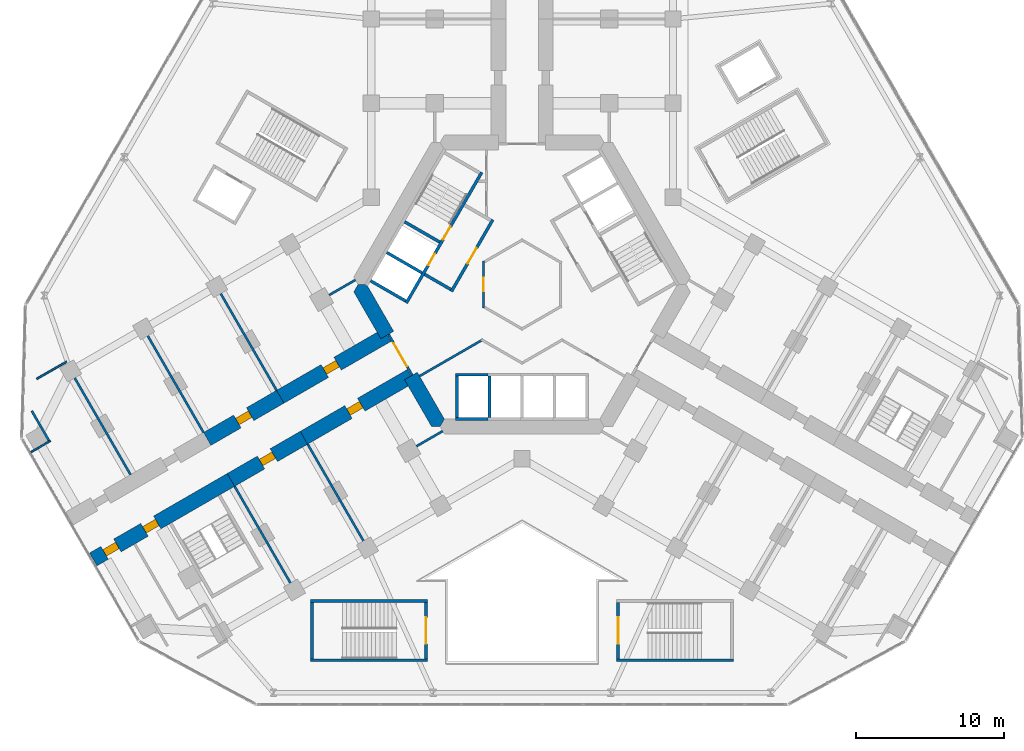
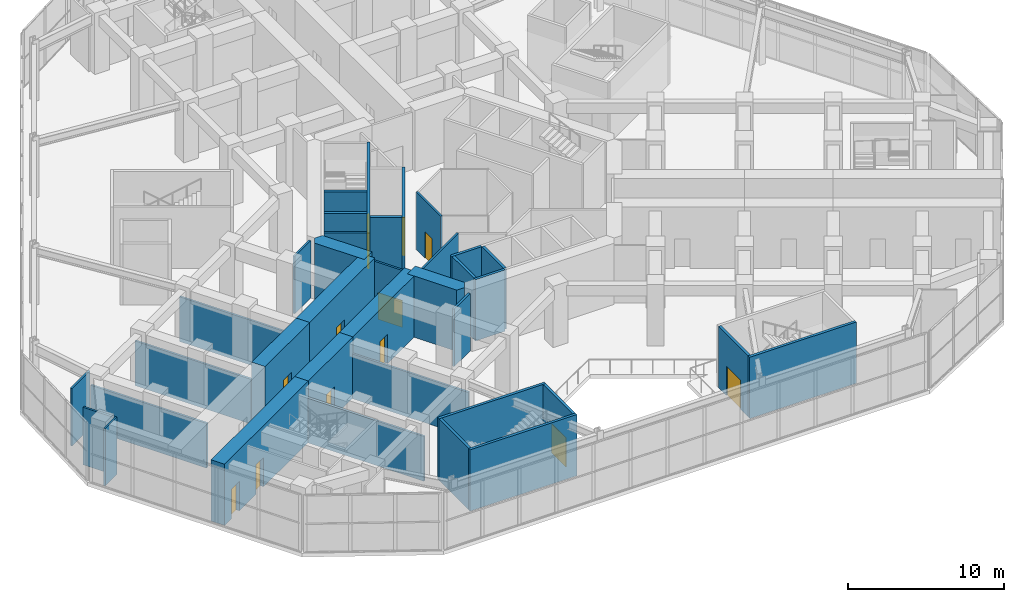
# One storey, part 15 of 22: 36 walls, 13 doors, 13 openings.
"""IFC4 building model written with IfcOpenShell, lengths in metres."""

from ifc_helpers import new_model, si_unit, direction, frame, frame_2d, origin, place, context, subcontext, project, spatial, polyline, rectangle, outline, extrude, material, layer, layer_set, type_object, element, fill, save


model = new_model("IFC4")

# Units and contexts
model_context = context("Model", 3, precision=1e-05, world=origin(), true_north=direction((0.0, 1.0)))
body_context = subcontext(model_context, "Body", "Model", "MODEL_VIEW")
ifc_project = project(units=[si_unit("LENGTHUNIT", "METRE"), si_unit("AREAUNIT", "SQUARE_METRE"), si_unit("VOLUMEUNIT", "CUBIC_METRE"), si_unit("PLANEANGLEUNIT", "RADIAN"), si_unit("MASSUNIT", "GRAM", prefix="KILO")], contexts=[model_context])

# Site, building, storey
site_placement = place(None, origin())
site = spatial("IfcSite", under=ifc_project, at=site_placement, CompositionType="ELEMENT")
building_placement = place(site_placement, origin())
building = spatial("IfcBuilding", under=site, at=building_placement, Name="Kosmar Iwan School Tower", CompositionType="ELEMENT")
storey_placement = place(building_placement, frame((0.0, 0.0, 10.800048828125)))
storey = spatial("IfcBuildingStorey", under=building, at=storey_placement, Name="L02", CompositionType="ELEMENT", Elevation=10.800048828125)

# Wall, opening, door
ifc_material_1 = material(Name="Gypsum board on steel studs, fire-rated", Category="steel")
ifc_layer_1 = layer(ifc_material_1, 0.14990234375)
ifc_layer_set_1 = layer_set([ifc_layer_1], Name="Core room partition 150")
wall_type_1 = type_object("IfcWallType", Name="Core room partition 150", PredefinedType="PARTITIONING", material=ifc_layer_set_1)
wall_1_placement = place(storey_placement, frame((-2.60009765625, -1.576171875, 0.0), z_axis=(0.0, 0.0, 1.0), x_axis=(0.0, 1.0, 0.0)))
wall_1 = element("IfcWall", 1, at=wall_1_placement, inside=storey, type_object=wall_type_1, Name="Core room partition L02-CW6", PredefinedType="PARTITIONING", context=body_context, shape_type="SweptSolid", body=[
    extrude(rectangle(XDim=3.15234375, YDim=0.14990234375, at=frame_2d((1.576171875, 0.0))), origin(), (0.0, 0.0, 1.0), 4.5),
])
opening_1_placement = place(wall_1_placement, frame((1.1259765625, 0.0, 0.0)))
opening_1 = element("IfcOpeningElement", 2, at=opening_1_placement, cuts=wall_1, Name="Opening D14", PredefinedType="OPENING", context=body_context, shape_type="SweptSolid", body=[
    extrude(rectangle(XDim=0.89990234375, YDim=2.10009765625, at=frame_2d((0.449951171875, 1.050048828125))), frame((0.0, 0.0869140625, 0.0), z_axis=(0.0, -1.0, 0.0), x_axis=(1.0, 0.0, 0.0)), (0.0, 0.0, 1.0), 0.173828125),
])
ifc_material_2 = material(Name="Timber fire door in steel frame", Category="steel")
door_type_1 = type_object("IfcDoorType", Name="Core room door 900x2100", OperationType="SINGLE_SWING_LEFT", PredefinedType="DOOR", material=ifc_material_2)
door_1_placement = place(opening_1_placement, origin())
door_1 = element("IfcDoor", 3, at=door_1_placement, inside=storey, type_object=door_type_1, Name="School store door L02 3", OperationType="SINGLE_SWING_RIGHT", OverallHeight=2.10009765625, OverallWidth=0.89990234375, PredefinedType="DOOR", context=body_context, shape_type="SweptSolid", body=[
    extrude(rectangle(XDim=0.89990234375, YDim=2.10009765625, at=frame_2d((0.449951171875, 1.050048828125))), frame((0.0, 0.02490234375, 0.0), z_axis=(0.0, -1.0, 0.0), x_axis=(1.0, 0.0, 0.0)), (0.0, 0.0, 1.0), 0.050048828125),
])
fill(opening_1, door_1)

# Walls
wall_2_placement = place(storey_placement, frame((-6.930908203125, -6.195556640625, 0.0), z_axis=(0.0, 0.0, 1.0), x_axis=(0.8660265831, 0.49999795736, 0.0)))
element("IfcWall", 4, at=wall_2_placement, inside=storey, type_object=wall_type_1, Name="Core room partition L02-CW13", PredefinedType="PARTITIONING", context=body_context, shape_type="SweptSolid", body=[
    extrude(rectangle(XDim=4.96044921875, YDim=0.14990234375, at=frame_2d((2.480224609375, 0.0))), origin(), (0.0, 0.0, 1.0), 4.5),
])
ifc_material_3 = material(Name="Concrete C50/60", Category="concrete")
ifc_layer_2 = layer(ifc_material_3, 1.0)
ifc_layer_set_2 = layer_set([ifc_layer_2], Name="Core wall 1000")
wall_type_2 = type_object("IfcWallType", Name="Core wall 1000", PredefinedType="SHEAR", material=ifc_layer_set_2)
wall_3_placement = place(storey_placement, origin())
element("IfcWall", 5, at=wall_3_placement, inside=storey, type_object=wall_type_2, Name="Core wall F210a", PredefinedType="SHEAR", context=body_context, shape_type="SweptSolid", body=[
    extrude(outline(polyline([(-9.546875, -3.664306640625), (-8.680908203125, -3.164306640625), (-10.5078125, 0.0), (-11.085205078125, 0.0), (-11.373779296875, -0.5), (-9.546875, -3.664306640625)])), origin(), (0.0, 0.0, 1.0), 4.800048828125),
])
wall_4_placement = place(storey_placement, origin())
element("IfcWall", 6, at=wall_4_placement, inside=storey, type_object=wall_type_2, Name="Core wall F210b", PredefinedType="SHEAR", context=body_context, shape_type="SweptSolid", body=[
    extrude(outline(polyline([(-6.119873046875, -9.60009765625), (-5.54248046875, -9.60009765625), (-5.25390625, -9.10009765625), (-7.080810546875, -5.935546875), (-7.94677734375, -6.435546875), (-6.119873046875, -9.60009765625)])), origin(), (0.0, 0.0, 1.0), 4.800048828125),
])

# Wall, opening, door
ifc_material_4 = material(Name="Concrete C50/60", Category="concrete")
ifc_layer_3 = layer(ifc_material_4, 1.0)
ifc_layer_set_3 = layer_set([ifc_layer_3], Name="Corridor buttress wall 1000")
wall_type_3 = type_object("IfcWallType", Name="Corridor buttress wall 1000", PredefinedType="SHEAR", material=ifc_layer_set_3)
wall_5_placement = place(storey_placement, frame((-7.513916015625, -6.185546875, 0.0), z_axis=(0.0, 0.0, 1.0), x_axis=(-0.866019549707, -0.500010139422, 0.0)))
wall_5 = element("IfcWall", 7, at=wall_5_placement, inside=storey, type_object=wall_type_3, Name="Corridor wall BL", PredefinedType="SHEAR", context=body_context, shape_type="SweptSolid", body=[
    extrude(rectangle(XDim=8.349853515625, YDim=1.0, at=frame_2d((4.1748046875, 0.0))), origin(), (0.0, 0.0, 1.0), 4.800048828125),
])
opening_2_placement = place(wall_5_placement, frame((3.875, 0.0, 0.0)))
opening_2 = element("IfcOpeningElement", 8, at=opening_2_placement, cuts=wall_5, Name="Opening D4", PredefinedType="OPENING", context=body_context, shape_type="SweptSolid", body=[
    extrude(rectangle(XDim=1.0, YDim=2.300048828125, at=frame_2d((0.5, 1.14990234375))), frame((0.0, 0.511962890625, 0.0), z_axis=(0.0, -1.0, 0.0), x_axis=(1.0, 0.0, 0.0)), (0.0, 0.0, 1.0), 1.02392578125),
])
ifc_material_5 = material(Name="Timber fire door with vision panel", Category="wood")
door_type_2 = type_object("IfcDoorType", Name="Classroom door 1000x2300", OperationType="SINGLE_SWING_LEFT", PredefinedType="DOOR", material=ifc_material_5)
door_2_placement = place(opening_2_placement, origin())
door_2 = element("IfcDoor", 9, at=door_2_placement, inside=storey, type_object=door_type_2, Name="Primary classroom BL1 door L02-BL1", OperationType="SINGLE_SWING_RIGHT", OverallHeight=2.300048828125, OverallWidth=1.0, PredefinedType="DOOR", context=body_context, shape_type="SweptSolid", body=[
    extrude(rectangle(XDim=1.0, YDim=2.300048828125, at=frame_2d((0.5, 1.14990234375))), frame((0.0, 0.25, 0.0), z_axis=(0.0, -1.0, 0.0), x_axis=(1.0, 0.0, 0.0)), (0.0, 0.0, 1.0), 0.5),
])
fill(opening_2, door_2)

wall_6_placement = place(storey_placement, frame((-14.7451171875, -10.360595703125, 0.0), z_axis=(0.0, 0.0, 1.0), x_axis=(-0.866015111908, -0.50001782563, 0.0)))
wall_6 = element("IfcWall", 10, at=wall_6_placement, inside=storey, type_object=wall_type_3, Name="Corridor wall BL bay 2", PredefinedType="SHEAR", context=body_context, shape_type="SweptSolid", body=[
    extrude(rectangle(XDim=5.699951171875, YDim=1.0, at=frame_2d((2.85009765625, 0.0))), origin(), (0.0, 0.0, 1.0), 4.800048828125),
])
opening_3_placement = place(wall_6_placement, frame((2.35009765625, 0.0, 0.0)))
opening_3 = element("IfcOpeningElement", 11, at=opening_3_placement, cuts=wall_6, Name="Opening D4", PredefinedType="OPENING", context=body_context, shape_type="SweptSolid", body=[
    extrude(rectangle(XDim=1.0, YDim=2.300048828125, at=frame_2d((0.5, 1.14990234375))), frame((0.0, 0.511962890625, 0.0), z_axis=(0.0, -1.0, 0.0), x_axis=(1.0, 0.0, 0.0)), (0.0, 0.0, 1.0), 1.02392578125),
])
door_3_placement = place(opening_3_placement, origin())
door_3 = element("IfcDoor", 12, at=door_3_placement, inside=storey, type_object=door_type_2, Name="Primary classroom BL2 door L02-BL2", OperationType="SINGLE_SWING_RIGHT", OverallHeight=2.300048828125, OverallWidth=1.0, PredefinedType="DOOR", context=body_context, shape_type="SweptSolid", body=[
    extrude(rectangle(XDim=1.0, YDim=2.300048828125, at=frame_2d((0.5, 1.14990234375))), frame((0.0, 0.25, 0.0), z_axis=(0.0, -1.0, 0.0), x_axis=(1.0, 0.0, 0.0)), (0.0, 0.0, 1.0), 0.5),
])
fill(opening_3, door_3)

# Wall, openings, doors
wall_7_placement = place(storey_placement, frame((-19.681396484375, -13.210693359375, 0.0), z_axis=(0.0, 0.0, 1.0), x_axis=(-0.866028186671, -0.499995179869, 0.0)))
wall_7 = element("IfcWall", 13, at=wall_7_placement, inside=storey, type_object=wall_type_3, Name="Corridor wall BL bay 3", PredefinedType="SHEAR", context=body_context, shape_type="SweptSolid", body=[
    extrude(rectangle(XDim=10.7451171875, YDim=1.0, at=frame_2d((5.37255859375, 0.0))), origin(), (0.0, 0.0, 1.0), 4.800048828125),
])
opening_4_placement = place(wall_7_placement, frame((5.75, 0.0, 0.0)))
opening_4 = element("IfcOpeningElement", 14, at=opening_4_placement, cuts=wall_7, Name="Opening D4", PredefinedType="OPENING", context=body_context, shape_type="SweptSolid", body=[
    extrude(rectangle(XDim=1.0, YDim=2.300048828125, at=frame_2d((0.5, 1.14990234375))), frame((0.0, 0.511962890625, 0.0), z_axis=(0.0, -1.0, 0.0), x_axis=(1.0, 0.0, 0.0)), (0.0, 0.0, 1.0), 1.02392578125),
])
opening_5_placement = place(wall_7_placement, frame((8.860107421875, 0.0, 0.0)))
opening_5 = element("IfcOpeningElement", 15, at=opening_5_placement, cuts=wall_7, Name="Opening D4", PredefinedType="OPENING", context=body_context, shape_type="SweptSolid", body=[
    extrude(rectangle(XDim=1.0, YDim=2.300048828125, at=frame_2d((0.5, 1.14990234375))), frame((0.0, 0.511962890625, 0.0), z_axis=(0.0, -1.0, 0.0), x_axis=(1.0, 0.0, 0.0)), (0.0, 0.0, 1.0), 1.02392578125),
])
door_4_placement = place(opening_4_placement, origin())
door_4 = element("IfcDoor", 16, at=door_4_placement, inside=storey, type_object=door_type_2, Name="Primary classroom BL3 door L02-BL3", OperationType="SINGLE_SWING_LEFT", OverallHeight=2.300048828125, OverallWidth=1.0, PredefinedType="DOOR", context=body_context, shape_type="SweptSolid", body=[
    extrude(rectangle(XDim=1.0, YDim=2.300048828125, at=frame_2d((0.5, 1.14990234375))), frame((0.0, 0.25, 0.0), z_axis=(0.0, -1.0, 0.0), x_axis=(1.0, 0.0, 0.0)), (0.0, 0.0, 1.0), 0.5),
])
fill(opening_4, door_4)
door_5_placement = place(opening_5_placement, origin())
door_5 = element("IfcDoor", 17, at=door_5_placement, inside=storey, type_object=door_type_2, Name="Toilets door L02-BL4", OperationType="SINGLE_SWING_RIGHT", OverallHeight=2.300048828125, OverallWidth=1.0, PredefinedType="DOOR", context=body_context, shape_type="SweptSolid", body=[
    extrude(rectangle(XDim=1.0, YDim=2.300048828125, at=frame_2d((0.5, 1.14990234375))), frame((0.0, 0.25, 0.0), z_axis=(0.0, -1.0, 0.0), x_axis=(1.0, 0.0, 0.0)), (0.0, 0.0, 1.0), 0.5),
])
fill(opening_5, door_5)

# Wall, opening, door
wall_8_placement = place(storey_placement, frame((-9.11376953125, -3.414306640625, 0.0), z_axis=(0.0, 0.0, 1.0), x_axis=(-0.866026859388, -0.499997478812, 0.0)))
wall_8 = element("IfcWall", 18, at=wall_8_placement, inside=storey, type_object=wall_type_3, Name="Corridor wall BR", PredefinedType="SHEAR", context=body_context, shape_type="SweptSolid", body=[
    extrude(rectangle(XDim=8.35009765625, YDim=1.0, at=frame_2d((4.175048828125, 0.0))), origin(), (0.0, 0.0, 1.0), 4.800048828125),
])
opening_6_placement = place(wall_8_placement, frame((3.875, 0.0, 0.0)))
opening_6 = element("IfcOpeningElement", 19, at=opening_6_placement, cuts=wall_8, Name="Opening D4", PredefinedType="OPENING", context=body_context, shape_type="SweptSolid", body=[
    extrude(rectangle(XDim=1.0, YDim=2.300048828125, at=frame_2d((0.5, 1.14990234375))), frame((0.0, 0.511962890625, 0.0), z_axis=(0.0, -1.0, 0.0), x_axis=(1.0, 0.0, 0.0)), (0.0, 0.0, 1.0), 1.02392578125),
])
door_6_placement = place(opening_6_placement, origin())
door_6 = element("IfcDoor", 20, at=door_6_placement, inside=storey, type_object=door_type_2, Name="Primary classroom BR1 door L02-BR1", OperationType="SINGLE_SWING_RIGHT", OverallHeight=2.300048828125, OverallWidth=1.0, PredefinedType="DOOR", context=body_context, shape_type="SweptSolid", body=[
    extrude(rectangle(XDim=1.0, YDim=2.300048828125, at=frame_2d((0.5, 1.14990234375))), frame((0.0, 0.25, 0.0), z_axis=(0.0, -1.0, 0.0), x_axis=(1.0, 0.0, 0.0)), (0.0, 0.0, 1.0), 0.5),
])
fill(opening_6, door_6)

wall_9_placement = place(storey_placement, frame((-16.34521484375, -7.58935546875, 0.0), z_axis=(0.0, 0.0, 1.0), x_axis=(-0.866015111908, -0.50001782563, 0.0)))
wall_9 = element("IfcWall", 21, at=wall_9_placement, inside=storey, type_object=wall_type_3, Name="Corridor wall BR bay 2", PredefinedType="SHEAR", context=body_context, shape_type="SweptSolid", body=[
    extrude(rectangle(XDim=5.699951171875, YDim=1.0, at=frame_2d((2.85009765625, 0.0))), origin(), (0.0, 0.0, 1.0), 4.800048828125),
])
opening_7_placement = place(wall_9_placement, frame((2.35009765625, 0.0, 0.0)))
opening_7 = element("IfcOpeningElement", 22, at=opening_7_placement, cuts=wall_9, Name="Opening D4", PredefinedType="OPENING", context=body_context, shape_type="SweptSolid", body=[
    extrude(rectangle(XDim=1.0, YDim=2.300048828125, at=frame_2d((0.5, 1.14990234375))), frame((0.0, 0.511962890625, 0.0), z_axis=(0.0, -1.0, 0.0), x_axis=(1.0, 0.0, 0.0)), (0.0, 0.0, 1.0), 1.02392578125),
])
door_7_placement = place(opening_7_placement, origin())
door_7 = element("IfcDoor", 23, at=door_7_placement, inside=storey, type_object=door_type_2, Name="Primary classroom BR2 door L02-BR2", OperationType="SINGLE_SWING_LEFT", OverallHeight=2.300048828125, OverallWidth=1.0, PredefinedType="DOOR", context=body_context, shape_type="SweptSolid", body=[
    extrude(rectangle(XDim=1.0, YDim=2.300048828125, at=frame_2d((0.5, 1.14990234375))), frame((0.0, 0.25, 0.0), z_axis=(0.0, -1.0, 0.0), x_axis=(1.0, 0.0, 0.0)), (0.0, 0.0, 1.0), 0.5),
])
fill(opening_7, door_7)

ifc_material_6 = material(Name="Steel framed glazed screen", Category="steel")
ifc_layer_4 = layer(ifc_material_6, 0.14990234375)
ifc_layer_set_4 = layer_set([ifc_layer_4], Name="Corridor screen wall 150")
wall_type_4 = type_object("IfcWallType", Name="Corridor screen wall 150", PredefinedType="PARTITIONING", material=ifc_layer_set_4)
wall_10_placement = place(storey_placement, frame((-9.02734375, -3.3642578125, 0.0), z_axis=(0.0, 0.0, 1.0), x_axis=(0.499995408039, -0.866028054938, 0.0)))
wall_10 = element("IfcWall", 24, at=wall_10_placement, inside=storey, type_object=wall_type_4, Name="Corridor screen B L02", PredefinedType="PARTITIONING", context=body_context, shape_type="SweptSolid", body=[
    extrude(rectangle(XDim=3.2001953125, YDim=0.14990234375, at=frame_2d((1.60009765625, 0.0))), origin(), (0.0, 0.0, 1.0), 4.5),
])
opening_8_placement = place(wall_10_placement, frame((0.699951171875, 0.0, 0.0)))
opening_8 = element("IfcOpeningElement", 25, at=opening_8_placement, cuts=wall_10, Name="Opening D9", PredefinedType="OPENING", context=body_context, shape_type="SweptSolid", body=[
    extrude(rectangle(XDim=1.800048828125, YDim=2.10009765625, at=frame_2d((0.89990234375, 1.050048828125))), frame((0.0, 0.0869140625, 0.0), z_axis=(0.0, -1.0, 0.0), x_axis=(1.0, 0.0, 0.0)), (0.0, 0.0, 1.0), 0.173828125),
])
ifc_material_7 = material(Name="Steel framed glazed smoke door", Category="steel")
door_type_3 = type_object("IfcDoorType", Name="Corridor smoke door pair 1800x2100", OperationType="DOUBLE_DOOR_DOUBLE_SWING", PredefinedType="DOOR", material=ifc_material_7)
door_8_placement = place(opening_8_placement, origin())
door_8 = element("IfcDoor", 26, at=door_8_placement, inside=storey, type_object=door_type_3, Name="Corridor doors B L02", OperationType="DOUBLE_DOOR_DOUBLE_SWING", OverallHeight=2.10009765625, OverallWidth=1.800048828125, PredefinedType="DOOR", context=body_context, shape_type="SweptSolid", body=[
    extrude(rectangle(XDim=1.800048828125, YDim=2.10009765625, at=frame_2d((0.89990234375, 1.050048828125))), frame((0.0, 0.02490234375, 0.0), z_axis=(0.0, -1.0, 0.0), x_axis=(1.0, 0.0, 0.0)), (0.0, 0.0, 1.0), 0.050048828125),
])
fill(opening_8, door_8)

# Walls
ifc_material_8 = material(Name="Gypsum board on steel studs", Category="steel")
ifc_layer_5 = layer(ifc_material_8, 0.1201171875)
ifc_layer_set_5 = layer_set([ifc_layer_5], Name="Dwelling partition 120")
wall_type_5 = type_object("IfcWallType", Name="Dwelling partition 120", PredefinedType="PARTITIONING", material=ifc_layer_set_5)
wall_11_placement = place(storey_placement, frame((-31.88720703125, -10.569580078125, 0.0), z_axis=(0.0, 0.0, 1.0), x_axis=(-0.866003374288, -0.500038154266, 0.0)))
element("IfcWall", 27, at=wall_11_placement, inside=storey, type_object=wall_type_5, Name="Partition L02-BR-DL", PredefinedType="PARTITIONING", context=body_context, shape_type="SweptSolid", body=[
    extrude(rectangle(XDim=1.4951171875, YDim=0.1201171875, at=frame_2d((0.74755859375, 0.0))), origin(), (0.0, 0.0, 1.0), 4.5),
])
wall_12_placement = place(storey_placement, frame((-30.79296875, -5.215087890625, 0.0), z_axis=(0.0, 0.0, 1.0), x_axis=(-0.865998469481, -0.500046648681, 0.0)))
element("IfcWall", 28, at=wall_12_placement, inside=storey, type_object=wall_type_5, Name="Partition L02-BR-TW", PredefinedType="PARTITIONING", context=body_context, shape_type="SweptSolid", body=[
    extrude(rectangle(XDim=2.324951171875, YDim=0.1201171875, at=frame_2d((1.16259765625, 0.0))), origin(), (0.0, 0.0, 1.0), 4.5),
])

# Wall, opening, door
ifc_material_9 = material(Name="Concrete block masonry", Category="masonry")
ifc_layer_6 = layer(ifc_material_9, 0.199951171875)
ifc_layer_set_6 = layer_set([ifc_layer_6], Name="Fire lobby wall 200")
wall_type_6 = type_object("IfcWallType", Name="Fire lobby wall 200", PredefinedType="PARTITIONING", material=ifc_layer_set_6)
wall_13_placement = place(storey_placement, frame((-1.9775390625, 4.374755859375, 0.0), z_axis=(0.0, 0.0, 1.0), x_axis=(-0.500016814911, -0.866015695474, 0.0)))
wall_13 = element("IfcWall", 29, at=wall_13_placement, inside=storey, type_object=wall_type_6, Name="Firefighting lobby wall ST2", PredefinedType="PARTITIONING", context=body_context, shape_type="SweptSolid", body=[
    extrude(rectangle(XDim=5.599853515625, YDim=0.199951171875, at=frame_2d((2.7998046875, 0.0))), origin(), (0.0, 0.0, 1.0), 4.5),
])
opening_9_placement = place(wall_13_placement, frame((2.199951171875, 0.0, 0.0)))
opening_9 = element("IfcOpeningElement", 30, at=opening_9_placement, cuts=wall_13, Name="Opening D7", PredefinedType="OPENING", context=body_context, shape_type="SweptSolid", body=[
    extrude(rectangle(XDim=1.199951171875, YDim=2.10009765625, at=frame_2d((0.60009765625, 1.050048828125))), frame((0.0, 0.112060546875, 0.0), z_axis=(0.0, -1.0, 0.0), x_axis=(1.0, 0.0, 0.0)), (0.0, 0.0, 1.0), 0.223876953125),
])
ifc_material_10 = material(Name="Steel fire door", Category="steel")
door_type_4 = type_object("IfcDoorType", Name="Fire lobby door 1200x2100", OperationType="SINGLE_SWING_LEFT", PredefinedType="DOOR", material=ifc_material_10)
door_9_placement = place(opening_9_placement, frame((1.199951171875, 0.0, 0.0), z_axis=(0.0, 0.0, 1.0), x_axis=(-1.0, 0.0, 0.0)))
door_9 = element("IfcDoor", 31, at=door_9_placement, inside=storey, type_object=door_type_4, Name="Firefighting lobby door ST2 L02", OperationType="SINGLE_SWING_RIGHT", OverallHeight=2.10009765625, OverallWidth=1.199951171875, PredefinedType="DOOR", context=body_context, shape_type="SweptSolid", body=[
    extrude(rectangle(XDim=1.199951171875, YDim=2.10009765625, at=frame_2d((0.60009765625, 1.050048828125))), frame((0.0, 0.02490234375, 0.0), z_axis=(0.0, -1.0, 0.0), x_axis=(1.0, 0.0, 0.0)), (0.0, 0.0, 1.0), 0.050048828125),
])
fill(opening_9, door_9)

# Wall
wall_14_placement = place(storey_placement, frame((-4.814208984375, -0.33837890625, 0.0), z_axis=(0.0, 0.0, 1.0), x_axis=(-0.865969381856, 0.500097020274, 0.0)))
element("IfcWall", 32, at=wall_14_placement, inside=storey, type_object=wall_type_6, Name="Firefighting lobby wall ST2", PredefinedType="PARTITIONING", context=body_context, shape_type="SweptSolid", body=[
    extrude(rectangle(XDim=2.0498046875, YDim=0.199951171875, at=frame_2d((1.02490234375, 0.0))), origin(), (0.0, 0.0, 1.0), 4.5),
])

# Wall, openings, doors
ifc_material_11 = material(Name="Concrete C50/60", Category="concrete")
ifc_layer_7 = layer(ifc_material_11, 0.199951171875)
ifc_layer_set_7 = layer_set([ifc_layer_7], Name="Lift shaft wall 200")
wall_type_7 = type_object("IfcWallType", Name="Lift shaft wall 200", PredefinedType="SHEAR", material=ifc_layer_set_7)
wall_15_placement = place(storey_placement, frame((-2.72607421875, 7.578369140625, 0.0), z_axis=(0.0, 0.0, 1.0), x_axis=(-0.500005610874, -0.86602216432, 0.0)))
wall_15 = element("IfcWall", 33, at=wall_15_placement, inside=storey, type_object=wall_type_7, Name="Lift and stair front wall AB", PredefinedType="SHEAR", context=body_context, shape_type="SweptSolid", body=[
    extrude(rectangle(XDim=10.2001953125, YDim=0.199951171875, at=frame_2d((5.10009765625, 0.0))), origin(), (0.0, 0.0, 1.0), 4.800048828125),
])
opening_10_placement = place(wall_15_placement, frame((6.35009765625, 0.0, 0.0)))
opening_10 = element("IfcOpeningElement", 34, at=opening_10_placement, cuts=wall_15, Name="Opening LD2", PredefinedType="OPENING", context=body_context, shape_type="SweptSolid", body=[
    extrude(rectangle(XDim=0.89990234375, YDim=2.10009765625, at=frame_2d((0.449951171875, 1.050048828125))), frame((0.0, 0.112060546875, 0.0), z_axis=(0.0, -1.0, 0.0), x_axis=(1.0, 0.0, 0.0)), (0.0, 0.0, 1.0), 0.223876953125),
])
opening_11_placement = place(wall_15_placement, frame((4.22998046875, 0.0, 0.0)))
opening_11 = element("IfcOpeningElement", 35, at=opening_11_placement, cuts=wall_15, Name="Opening D6", PredefinedType="OPENING", context=body_context, shape_type="SweptSolid", body=[
    extrude(rectangle(XDim=1.0, YDim=2.10009765625, at=frame_2d((0.5, 1.050048828125))), frame((0.0, 0.112060546875, 0.0), z_axis=(0.0, -1.0, 0.0), x_axis=(1.0, 0.0, 0.0)), (0.0, 0.0, 1.0), 0.223876953125),
])
ifc_material_12 = material(Name="Stainless steel sliding lift door", Category="steel")
door_type_5 = type_object("IfcDoorType", Name="Firefighting lift landing door 900x2100", OperationType="SLIDING_TO_LEFT", PredefinedType="DOOR", material=ifc_material_12)
door_10_placement = place(opening_10_placement, origin())
door_10 = element("IfcDoor", 36, at=door_10_placement, inside=storey, type_object=door_type_5, Name="Lift FF2 landing door L02", OperationType="SLIDING_TO_LEFT", OverallHeight=2.10009765625, OverallWidth=0.89990234375, PredefinedType="DOOR", context=body_context, shape_type="SweptSolid", body=[
    extrude(rectangle(XDim=0.89990234375, YDim=2.10009765625, at=frame_2d((0.449951171875, 1.050048828125))), frame((0.0, 0.02490234375, 0.0), z_axis=(0.0, -1.0, 0.0), x_axis=(1.0, 0.0, 0.0)), (0.0, 0.0, 1.0), 0.050048828125),
])
fill(opening_10, door_10)
ifc_material_13 = material(Name="Steel fire door", Category="steel")
door_type_6 = type_object("IfcDoorType", Name="Stair door 1000x2100", OperationType="SINGLE_SWING_LEFT", PredefinedType="DOOR", material=ifc_material_13)
door_11_placement = place(opening_11_placement, origin())
door_11 = element("IfcDoor", 37, at=door_11_placement, inside=storey, type_object=door_type_6, Name="Stair ST2 door L02", OperationType="SINGLE_SWING_LEFT", OverallHeight=2.10009765625, OverallWidth=1.0, PredefinedType="DOOR", context=body_context, shape_type="SweptSolid", body=[
    extrude(rectangle(XDim=1.0, YDim=2.10009765625, at=frame_2d((0.5, 1.050048828125))), frame((0.0, 0.02490234375, 0.0), z_axis=(0.0, -1.0, 0.0), x_axis=(1.0, 0.0, 0.0)), (0.0, 0.0, 1.0), 0.050048828125),
])
fill(opening_11, door_11)

# Walls
for number, where, z_axis, x_axis, name in (
    (38, (-6.7626953125, 0.78662109375, 0.0), (0.0, 0.0, 1.0), (-0.866027397988, 0.499996545922, 0.0), "Lift shaft wall AB 1"),
    (39, (-7.862548828125, -1.118408203125, 0.0), (0.0, 0.0, 1.0), (-0.866027397988, 0.499996545922, 0.0), "Lift shaft wall AB 2"),
):
    element("IfcWall", number, at=place(storey_placement, frame(where, z_axis=z_axis, x_axis=x_axis)), inside=storey, type_object=wall_type_7, Name=name, PredefinedType="SHEAR", context=body_context, shape_type="SweptSolid", body=[
        extrude(rectangle(XDim=2.75, YDim=0.199951171875, at=frame_2d((1.375, 0.0))), origin(), (0.0, 0.0, 1.0), 4.800048828125),
    ])
for number, where, z_axis, x_axis, name in (
    (40, (-4.5, -6.10009765625, 0.0), (0.0, 0.0, 1.0), (1.0, 0.0, 0.0), "Lift and stair front wall BC"),
    (41, (-4.5, -9.10009765625, 0.0), (0.0, 0.0, 1.0), (1.0, 0.0, 0.0), "Lift and stair back wall BC"),
):
    element("IfcWall", number, at=place(storey_placement, frame(where, z_axis=z_axis, x_axis=x_axis)), inside=storey, type_object=wall_type_7, Name=name, PredefinedType="SHEAR", context=body_context, shape_type="SweptSolid", body=[
        extrude(rectangle(XDim=2.199951171875, YDim=0.199951171875, at=frame_2d((1.10009765625, 0.0))), origin(), (0.0, 0.0, 1.0), 4.800048828125),
    ])
for number, where, z_axis, x_axis, name in (
    (42, (-4.39990234375, -6.199951171875, 0.0), (0.0, 0.0, 1.0), (0.0, -1.0, 0.0), "Lift shaft wall BC 0"),
    (43, (-2.199951171875, -6.199951171875, 0.0), (0.0, 0.0, 1.0), (0.0, -1.0, 0.0), "Lift shaft wall BC 1"),
):
    element("IfcWall", number, at=place(storey_placement, frame(where, z_axis=z_axis, x_axis=x_axis)), inside=storey, type_object=wall_type_7, Name=name, PredefinedType="SHEAR", context=body_context, shape_type="SweptSolid", body=[
        extrude(rectangle(XDim=2.800048828125, YDim=0.199951171875, at=frame_2d((1.39990234375, 0.0))), origin(), (0.0, 0.0, 1.0), 4.800048828125),
    ])
ifc_material_14 = material(Name="Gypsum board on steel studs", Category="steel")
ifc_layer_8 = layer(ifc_material_14, 0.14990234375)
ifc_layer_set_8 = layer_set([ifc_layer_8], Name="School partition 150")
wall_type_8 = type_object("IfcWallType", Name="School partition 150", PredefinedType="PARTITIONING", material=ifc_layer_set_8)
wall_16_placement = place(storey_placement, frame((-5.36376953125, -9.909423828125, 0.0), z_axis=(0.0, 0.0, 1.0), x_axis=(-0.865999163574, -0.500045446624, 0.0)))
element("IfcWall", 44, at=wall_16_placement, inside=storey, type_object=wall_type_8, Name="Partition L02-BL-NB", PredefinedType="PARTITIONING", context=body_context, shape_type="SweptSolid", body=[
    extrude(rectangle(XDim=2.050048828125, YDim=0.14990234375, at=frame_2d((1.02490234375, 0.0))), origin(), (0.0, 0.0, 1.0), 4.5),
])
wall_17_placement = place(storey_placement, frame((-14.4951171875, -10.793701171875, 0.0), z_axis=(0.0, 0.0, 1.0), x_axis=(0.500007509209, -0.866021068297, 0.0)))
element("IfcWall", 45, at=wall_17_placement, inside=storey, type_object=wall_type_8, Name="Partition L02-BL-X1", PredefinedType="PARTITIONING", context=body_context, shape_type="SweptSolid", body=[
    extrude(rectangle(XDim=8.599853515625, YDim=0.14990234375, at=frame_2d((4.2998046875, 0.0))), origin(), (0.0, 0.0, 1.0), 3.5),
])
wall_18_placement = place(storey_placement, frame((-19.431396484375, -13.6435546875, 0.0), z_axis=(0.0, 0.0, 1.0), x_axis=(0.499973925258, -0.86604045752, 0.0)))
element("IfcWall", 46, at=wall_18_placement, inside=storey, type_object=wall_type_8, Name="Partition L02-BL-X2", PredefinedType="PARTITIONING", context=body_context, shape_type="SweptSolid", body=[
    extrude(rectangle(XDim=8.60009765625, YDim=0.14990234375, at=frame_2d((4.300048828125, 0.0))), origin(), (0.0, 0.0, 1.0), 3.5),
])
wall_19_placement = place(storey_placement, frame((-11.263916015625, 0.3095703125, 0.0), z_axis=(0.0, 0.0, 1.0), x_axis=(-0.865999163574, -0.500045446624, 0.0)))
element("IfcWall", 47, at=wall_19_placement, inside=storey, type_object=wall_type_8, Name="Partition L02-BR-NB", PredefinedType="PARTITIONING", context=body_context, shape_type="SweptSolid", body=[
    extrude(rectangle(XDim=2.050048828125, YDim=0.14990234375, at=frame_2d((1.02490234375, 0.0))), origin(), (0.0, 0.0, 1.0), 4.5),
])
wall_20_placement = place(storey_placement, frame((-31.922119140625, -10.6591796875, 0.0), z_axis=(0.0, 0.0, 1.0), x_axis=(-0.500048010679, 0.865997683031, 0.0)))
element("IfcWall", 48, at=wall_20_placement, inside=storey, type_object=wall_type_8, Name="Partition L02-BR-DC", PredefinedType="PARTITIONING", context=body_context, shape_type="SweptSolid", body=[
    extrude(rectangle(XDim=2.445068359375, YDim=0.14990234375, at=frame_2d((1.22265625, 0.0))), origin(), (0.0, 0.0, 1.0), 4.5),
])
for number, where, z_axis, x_axis, name in (
    (49, (-16.59521484375, -7.15625, 0.0), (0.0, 0.0, 1.0), (-0.500007509209, 0.866021068297, 0.0), "Partition L02-BR-X1"),
    (50, (-21.531494140625, -10.00634765625, 0.0), (0.0, 0.0, 1.0), (-0.500007509209, 0.866021068297, 0.0), "Partition L02-BR-X2"),
):
    element("IfcWall", number, at=place(storey_placement, frame(where, z_axis=z_axis, x_axis=x_axis)), inside=storey, type_object=wall_type_8, Name=name, PredefinedType="PARTITIONING", context=body_context, shape_type="SweptSolid", body=[
        extrude(rectangle(XDim=8.599853515625, YDim=0.14990234375, at=frame_2d((4.2998046875, 0.0))), origin(), (0.0, 0.0, 1.0), 3.5),
    ])
wall_21_placement = place(storey_placement, frame((-26.4677734375, -12.8564453125, 0.0), z_axis=(0.0, 0.0, 1.0), x_axis=(-0.499995216735, 0.866028165386, 0.0)))
element("IfcWall", 51, at=wall_21_placement, inside=storey, type_object=wall_type_8, Name="Partition L02-BR-X3", PredefinedType="PARTITIONING", context=body_context, shape_type="SweptSolid", body=[
    extrude(rectangle(XDim=8.60009765625, YDim=0.14990234375, at=frame_2d((4.300048828125, 0.0))), origin(), (0.0, 0.0, 1.0), 3.5),
])
ifc_material_15 = material(Name="Concrete C50/60", Category="concrete")
ifc_layer_9 = layer(ifc_material_15, 0.199951171875)
ifc_layer_set_9 = layer_set([ifc_layer_9], Name="Stair enclosure wall 200")
wall_type_9 = type_object("IfcWallType", Name="Stair enclosure wall 200", PredefinedType="SHEAR", material=ifc_layer_set_9)
wall_22_placement = place(storey_placement, frame((-5.562744140625, 2.865234375, 0.0), z_axis=(0.0, 0.0, 1.0), x_axis=(-0.866027397988, 0.499996545922, 0.0)))
element("IfcWall", 52, at=wall_22_placement, inside=storey, type_object=wall_type_9, Name="Stair ST2 wall", PredefinedType="SHEAR", context=body_context, shape_type="SweptSolid", body=[
    extrude(rectangle(XDim=2.75, YDim=0.199951171875, at=frame_2d((1.375, 0.0))), origin(), (0.0, 0.0, 1.0), 4.800048828125),
])
for number, where, z_axis, x_axis, name in (
    (53, (-14.300048828125, -21.39990234375, 0.0), (0.0, 0.0, 1.0), (1.0, 0.0, 0.0), "School stair SS1 wall"),
    (54, (-14.300048828125, -25.39990234375, 0.0), (0.0, 0.0, 1.0), (1.0, 0.0, 0.0), "School stair SS1 wall"),
):
    element("IfcWall", number, at=place(storey_placement, frame(where, z_axis=z_axis, x_axis=x_axis)), inside=storey, type_object=wall_type_9, Name=name, PredefinedType="SHEAR", context=body_context, shape_type="SweptSolid", body=[
        extrude(rectangle(XDim=7.900146484375, YDim=0.199951171875, at=frame_2d((3.9501953125, 0.0))), origin(), (0.0, 0.0, 1.0), 4.800048828125),
    ])
wall_23_placement = place(storey_placement, frame((-14.199951171875, -21.5, 0.0), z_axis=(0.0, 0.0, 1.0), x_axis=(0.0, -1.0, 0.0)))
element("IfcWall", 55, at=wall_23_placement, inside=storey, type_object=wall_type_9, Name="School stair SS1 wall", PredefinedType="SHEAR", context=body_context, shape_type="SweptSolid", body=[
    extrude(rectangle(XDim=3.800048828125, YDim=0.199951171875, at=frame_2d((1.89990234375, 0.0))), origin(), (0.0, 0.0, 1.0), 4.800048828125),
])

# Wall, opening, door
wall_24_placement = place(storey_placement, frame((-6.5, -21.5, 0.0), z_axis=(0.0, 0.0, 1.0), x_axis=(0.0, -1.0, 0.0)))
wall_24 = element("IfcWall", 56, at=wall_24_placement, inside=storey, type_object=wall_type_9, Name="School stair SS1 wall", PredefinedType="SHEAR", context=body_context, shape_type="SweptSolid", body=[
    extrude(rectangle(XDim=3.800048828125, YDim=0.199951171875, at=frame_2d((1.89990234375, 0.0))), origin(), (0.0, 0.0, 1.0), 4.800048828125),
])
opening_12_placement = place(wall_24_placement, frame((1.0, 0.0, 0.0)))
opening_12 = element("IfcOpeningElement", 57, at=opening_12_placement, cuts=wall_24, Name="Opening D8", PredefinedType="OPENING", context=body_context, shape_type="SweptSolid", body=[
    extrude(rectangle(XDim=1.800048828125, YDim=2.300048828125, at=frame_2d((0.89990234375, 1.14990234375))), frame((0.0, 0.112060546875, 0.0), z_axis=(0.0, -1.0, 0.0), x_axis=(1.0, 0.0, 0.0)), (0.0, 0.0, 1.0), 0.223876953125),
])
ifc_material_16 = material(Name="Steel fire door", Category="steel")
door_type_7 = type_object("IfcDoorType", Name="School stair door pair 1800x2300", OperationType="DOUBLE_DOOR_SINGLE_SWING", PredefinedType="DOOR", material=ifc_material_16)
door_12_placement = place(opening_12_placement, origin())
door_12 = element("IfcDoor", 58, at=door_12_placement, inside=storey, type_object=door_type_7, Name="School stair SS1 door L02", OperationType="DOUBLE_DOOR_SINGLE_SWING", OverallHeight=2.300048828125, OverallWidth=1.800048828125, PredefinedType="DOOR", context=body_context, shape_type="SweptSolid", body=[
    extrude(rectangle(XDim=1.800048828125, YDim=2.300048828125, at=frame_2d((0.89990234375, 1.14990234375))), frame((0.0, 0.02490234375, 0.0), z_axis=(0.0, -1.0, 0.0), x_axis=(1.0, 0.0, 0.0)), (0.0, 0.0, 1.0), 0.050048828125),
])
fill(opening_12, door_12)

# Wall
wall_25_placement = place(storey_placement, frame((6.39990234375, -25.39990234375, 0.0), z_axis=(0.0, 0.0, 1.0), x_axis=(1.0, 0.0, 0.0)))
element("IfcWall", 59, at=wall_25_placement, inside=storey, type_object=wall_type_9, Name="School stair SS2 wall", PredefinedType="SHEAR", context=body_context, shape_type="SweptSolid", body=[
    extrude(rectangle(XDim=7.900146484375, YDim=0.199951171875, at=frame_2d((3.9501953125, 0.0))), origin(), (0.0, 0.0, 1.0), 4.800048828125),
])

# Wall, opening, door
wall_26_placement = place(storey_placement, frame((6.5, -21.5, 0.0), z_axis=(0.0, 0.0, 1.0), x_axis=(0.0, -1.0, 0.0)))
wall_26 = element("IfcWall", 60, at=wall_26_placement, inside=storey, type_object=wall_type_9, Name="School stair SS2 wall", PredefinedType="SHEAR", context=body_context, shape_type="SweptSolid", body=[
    extrude(rectangle(XDim=3.800048828125, YDim=0.199951171875, at=frame_2d((1.89990234375, 0.0))), origin(), (0.0, 0.0, 1.0), 4.800048828125),
])
opening_13_placement = place(wall_26_placement, frame((1.0, 0.0, 0.0)))
opening_13 = element("IfcOpeningElement", 61, at=opening_13_placement, cuts=wall_26, Name="Opening D8", PredefinedType="OPENING", context=body_context, shape_type="SweptSolid", body=[
    extrude(rectangle(XDim=1.800048828125, YDim=2.300048828125, at=frame_2d((0.89990234375, 1.14990234375))), frame((0.0, 0.112060546875, 0.0), z_axis=(0.0, -1.0, 0.0), x_axis=(1.0, 0.0, 0.0)), (0.0, 0.0, 1.0), 0.223876953125),
])
door_13_placement = place(opening_13_placement, origin())
door_13 = element("IfcDoor", 62, at=door_13_placement, inside=storey, type_object=door_type_7, Name="School stair SS2 door L02", OperationType="DOUBLE_DOOR_SINGLE_SWING", OverallHeight=2.300048828125, OverallWidth=1.800048828125, PredefinedType="DOOR", context=body_context, shape_type="SweptSolid", body=[
    extrude(rectangle(XDim=1.800048828125, YDim=2.300048828125, at=frame_2d((0.89990234375, 1.14990234375))), frame((0.0, 0.02490234375, 0.0), z_axis=(0.0, -1.0, 0.0), x_axis=(1.0, 0.0, 0.0)), (0.0, 0.0, 1.0), 0.050048828125),
])
fill(opening_13, door_13)

save(model, "model.ifc")
